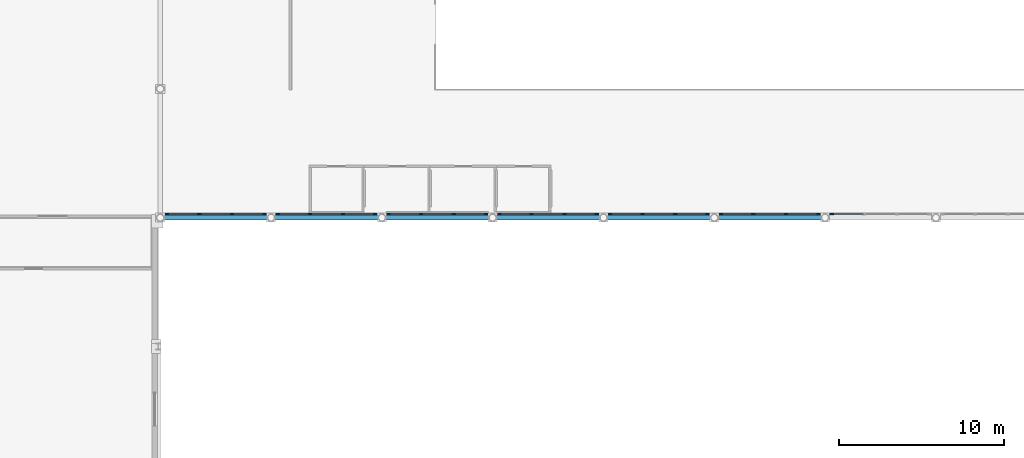
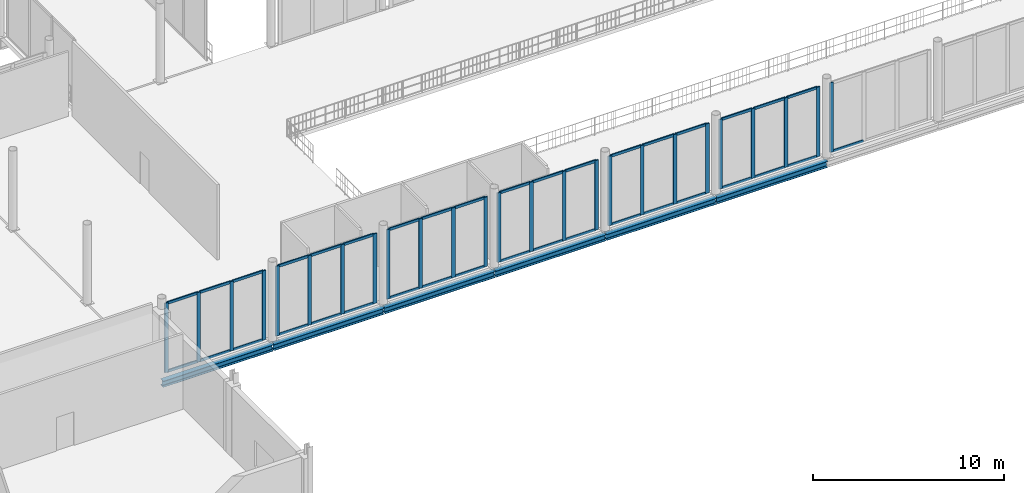
# One storey, part 33 of 105: 62 members, 6 beams, 7 elements without a shape of their own.
"""IFC4 building model written with IfcOpenShell, lengths in metres."""

from ifc_helpers import new_model, si_unit, direction, frame, origin, origin_2d, place, context, subcontext, project, spatial, rectangle, i_section, extrude, material, material_profile, profile_set, type_object, element, aggregate, save


model = new_model("IFC4")

# Units and contexts
model_context = context("Model", 3, precision=1e-05, world=origin(), true_north=direction((0.0, 1.0)))
body_context = subcontext(model_context, "Body", "Model", "MODEL_VIEW")
ifc_project = project(units=[si_unit("LENGTHUNIT", "METRE"), si_unit("AREAUNIT", "SQUARE_METRE"), si_unit("VOLUMEUNIT", "CUBIC_METRE"), si_unit("PLANEANGLEUNIT", "RADIAN"), si_unit("MASSUNIT", "GRAM", prefix="KILO")], contexts=[model_context])

# Site, building, storey
site_placement = place(None, origin())
site = spatial("IfcSite", under=ifc_project, at=site_placement, CompositionType="ELEMENT")
building_placement = place(site_placement, origin())
building = spatial("IfcBuilding", under=site, at=building_placement, Name="Nabrawat Pavilion Hospital", CompositionType="ELEMENT")
storey_placement = place(building_placement, frame((0.0, 0.0, 5.10009765625)))
storey = spatial("IfcBuildingStorey", under=building, at=storey_placement, Name="L01", CompositionType="ELEMENT", Elevation=5.10009765625)

# Curtain wall, members
ifc_material_1 = material(Name="Anodised Aluminium", Category="aluminium")
curtain_wall_type = type_object("IfcCurtainWallType", Name="Main Hall Pavilion Unitised Curtain Wall", PredefinedType="USERDEFINED", material=ifc_material_1)
curtain_wall_1_placement = place(storey_placement, origin())
curtain_wall_1 = element("IfcCurtainWall", 1, at=curtain_wall_1_placement, inside=storey, type_object=curtain_wall_type, Name="L01 Main Hall Pavilion Unitised Curtain Wall 033", ObjectType="CURTAIN WALL", PredefinedType="USERDEFINED")
ifc_material_profile_1 = material_profile(ifc_material_1, rectangle(XDim=0.074951171875, YDim=0.219970703125, at=origin_2d()), Name="CWM 75x220")
ifc_profile_set_1 = profile_set([ifc_material_profile_1], Name="Anodised Aluminium")
member_type_1 = type_object("IfcMemberType", Name="Main Hall Pavilion Unitised Curtain Wall Mullion CWM 75x220", PredefinedType="MULLION", material=ifc_profile_set_1)
member_1_placement = place(storey_placement, frame((59.325927734375, 15.820068359375, 0.0), z_axis=(0.0, 0.0, 1.0), x_axis=(0.0, 1.0, 0.0)))
member_1 = element("IfcMember", 2, at=member_1_placement, type_object=member_type_1, Name="CW-MH-01 mullion 1", PredefinedType="MULLION", context=body_context, shape_type="SweptSolid", body=[
    extrude(rectangle(XDim=0.074951171875, YDim=0.219970703125, at=origin_2d()), origin(), (0.0, 0.0, 1.0), 4.43994140625),
])
member_2_placement = place(storey_placement, frame((61.27880859375, 15.820068359375, 0.0), z_axis=(0.0, 0.0, 1.0), x_axis=(0.0, 1.0, 0.0)))
member_2 = element("IfcMember", 3, at=member_2_placement, type_object=member_type_1, Name="CW-MH-01 mullion 2", PredefinedType="MULLION", context=body_context, shape_type="SweptSolid", body=[
    extrude(rectangle(XDim=0.074951171875, YDim=0.219970703125, at=origin_2d()), origin(), (0.0, 0.0, 1.0), 4.43994140625),
])
member_3_placement = place(storey_placement, frame((63.269287109375, 15.820068359375, 0.0), z_axis=(0.0, 0.0, 1.0), x_axis=(0.0, 1.0, 0.0)))
member_3 = element("IfcMember", 4, at=member_3_placement, type_object=member_type_1, Name="CW-MH-01 mullion 3", PredefinedType="MULLION", context=body_context, shape_type="SweptSolid", body=[
    extrude(rectangle(XDim=0.074951171875, YDim=0.219970703125, at=origin_2d()), origin(), (0.0, 0.0, 1.0), 4.43994140625),
])
member_4_placement = place(storey_placement, frame((65.221923828125, 15.820068359375, 0.0), z_axis=(0.0, 0.0, 1.0), x_axis=(0.0, 1.0, 0.0)))
member_4 = element("IfcMember", 5, at=member_4_placement, type_object=member_type_1, Name="CW-MH-01 mullion 4", PredefinedType="MULLION", context=body_context, shape_type="SweptSolid", body=[
    extrude(rectangle(XDim=0.074951171875, YDim=0.219970703125, at=origin_2d()), origin(), (0.0, 0.0, 1.0), 4.43994140625),
])

curtain_wall_2_placement = place(storey_placement, origin())
curtain_wall_2 = element("IfcCurtainWall", 6, at=curtain_wall_2_placement, inside=storey, type_object=curtain_wall_type, Name="L01 Main Hall Pavilion Unitised Curtain Wall 034", ObjectType="CURTAIN WALL", PredefinedType="USERDEFINED")
member_5_placement = place(storey_placement, frame((66.033935546875, 15.820068359375, 0.0), z_axis=(0.0, 0.0, 1.0), x_axis=(0.0, 1.0, 0.0)))
member_5 = element("IfcMember", 7, at=member_5_placement, type_object=member_type_1, Name="CW-MH-01 mullion 1", PredefinedType="MULLION", context=body_context, shape_type="SweptSolid", body=[
    extrude(rectangle(XDim=0.074951171875, YDim=0.219970703125, at=origin_2d()), origin(), (0.0, 0.0, 1.0), 4.449951171875),
])
member_6_placement = place(storey_placement, frame((67.98681640625, 15.820068359375, 0.0), z_axis=(0.0, 0.0, 1.0), x_axis=(0.0, 1.0, 0.0)))
member_6 = element("IfcMember", 8, at=member_6_placement, type_object=member_type_1, Name="CW-MH-01 mullion 2", PredefinedType="MULLION", context=body_context, shape_type="SweptSolid", body=[
    extrude(rectangle(XDim=0.074951171875, YDim=0.219970703125, at=origin_2d()), origin(), (0.0, 0.0, 1.0), 4.449951171875),
])
member_7_placement = place(storey_placement, frame((69.97705078125, 15.820068359375, 0.0), z_axis=(0.0, 0.0, 1.0), x_axis=(0.0, 1.0, 0.0)))
member_7 = element("IfcMember", 9, at=member_7_placement, type_object=member_type_1, Name="CW-MH-01 mullion 3", PredefinedType="MULLION", context=body_context, shape_type="SweptSolid", body=[
    extrude(rectangle(XDim=0.074951171875, YDim=0.219970703125, at=origin_2d()), origin(), (0.0, 0.0, 1.0), 4.449951171875),
])
member_8_placement = place(storey_placement, frame((71.929931640625, 15.820068359375, 0.0), z_axis=(0.0, 0.0, 1.0), x_axis=(0.0, 1.0, 0.0)))
member_8 = element("IfcMember", 10, at=member_8_placement, type_object=member_type_1, Name="CW-MH-01 mullion 4", PredefinedType="MULLION", context=body_context, shape_type="SweptSolid", body=[
    extrude(rectangle(XDim=0.074951171875, YDim=0.219970703125, at=origin_2d()), origin(), (0.0, 0.0, 1.0), 4.449951171875),
])

curtain_wall_3_placement = place(storey_placement, origin())
curtain_wall_3 = element("IfcCurtainWall", 11, at=curtain_wall_3_placement, inside=storey, type_object=curtain_wall_type, Name="L01 Main Hall Pavilion Unitised Curtain Wall 035", ObjectType="CURTAIN WALL", PredefinedType="USERDEFINED")
member_9_placement = place(storey_placement, frame((72.741943359375, 15.820068359375, 0.0), z_axis=(0.0, 0.0, 1.0), x_axis=(0.0, 1.0, 0.0)))
member_9 = element("IfcMember", 12, at=member_9_placement, type_object=member_type_1, Name="CW-MH-01 mullion 1", PredefinedType="MULLION", context=body_context, shape_type="SweptSolid", body=[
    extrude(rectangle(XDim=0.074951171875, YDim=0.219970703125, at=origin_2d()), origin(), (0.0, 0.0, 1.0), 4.449951171875),
])
member_10_placement = place(storey_placement, frame((74.69482421875, 15.820068359375, 0.0), z_axis=(0.0, 0.0, 1.0), x_axis=(0.0, 1.0, 0.0)))
member_10 = element("IfcMember", 13, at=member_10_placement, type_object=member_type_1, Name="CW-MH-01 mullion 2", PredefinedType="MULLION", context=body_context, shape_type="SweptSolid", body=[
    extrude(rectangle(XDim=0.074951171875, YDim=0.219970703125, at=origin_2d()), origin(), (0.0, 0.0, 1.0), 4.449951171875),
])
member_11_placement = place(storey_placement, frame((76.68505859375, 15.820068359375, 0.0), z_axis=(0.0, 0.0, 1.0), x_axis=(0.0, 1.0, 0.0)))
member_11 = element("IfcMember", 14, at=member_11_placement, type_object=member_type_1, Name="CW-MH-01 mullion 3", PredefinedType="MULLION", context=body_context, shape_type="SweptSolid", body=[
    extrude(rectangle(XDim=0.074951171875, YDim=0.219970703125, at=origin_2d()), origin(), (0.0, 0.0, 1.0), 4.449951171875),
])
member_12_placement = place(storey_placement, frame((78.637939453125, 15.820068359375, 0.0), z_axis=(0.0, 0.0, 1.0), x_axis=(0.0, 1.0, 0.0)))
member_12 = element("IfcMember", 15, at=member_12_placement, type_object=member_type_1, Name="CW-MH-01 mullion 4", PredefinedType="MULLION", context=body_context, shape_type="SweptSolid", body=[
    extrude(rectangle(XDim=0.074951171875, YDim=0.219970703125, at=origin_2d()), origin(), (0.0, 0.0, 1.0), 4.449951171875),
])

curtain_wall_4_placement = place(storey_placement, origin())
curtain_wall_4 = element("IfcCurtainWall", 16, at=curtain_wall_4_placement, inside=storey, type_object=curtain_wall_type, Name="L01 Main Hall Pavilion Unitised Curtain Wall 036", ObjectType="CURTAIN WALL", PredefinedType="USERDEFINED")
member_13_placement = place(storey_placement, frame((79.449951171875, 15.820068359375, 0.0), z_axis=(0.0, 0.0, 1.0), x_axis=(0.0, 1.0, 0.0)))
member_13 = element("IfcMember", 17, at=member_13_placement, type_object=member_type_1, Name="CW-MH-01 mullion 1", PredefinedType="MULLION", context=body_context, shape_type="SweptSolid", body=[
    extrude(rectangle(XDim=0.074951171875, YDim=0.219970703125, at=origin_2d()), origin(), (0.0, 0.0, 1.0), 4.449951171875),
])
member_14_placement = place(storey_placement, frame((81.40283203125, 15.820068359375, 0.0), z_axis=(0.0, 0.0, 1.0), x_axis=(0.0, 1.0, 0.0)))
member_14 = element("IfcMember", 18, at=member_14_placement, type_object=member_type_1, Name="CW-MH-01 mullion 2", PredefinedType="MULLION", context=body_context, shape_type="SweptSolid", body=[
    extrude(rectangle(XDim=0.074951171875, YDim=0.219970703125, at=origin_2d()), origin(), (0.0, 0.0, 1.0), 4.449951171875),
])
member_15_placement = place(storey_placement, frame((83.39306640625, 15.820068359375, 0.0), z_axis=(0.0, 0.0, 1.0), x_axis=(0.0, 1.0, 0.0)))
member_15 = element("IfcMember", 19, at=member_15_placement, type_object=member_type_1, Name="CW-MH-01 mullion 3", PredefinedType="MULLION", context=body_context, shape_type="SweptSolid", body=[
    extrude(rectangle(XDim=0.074951171875, YDim=0.219970703125, at=origin_2d()), origin(), (0.0, 0.0, 1.0), 4.449951171875),
])
member_16_placement = place(storey_placement, frame((85.345947265625, 15.820068359375, 0.0), z_axis=(0.0, 0.0, 1.0), x_axis=(0.0, 1.0, 0.0)))
member_16 = element("IfcMember", 20, at=member_16_placement, type_object=member_type_1, Name="CW-MH-01 mullion 4", PredefinedType="MULLION", context=body_context, shape_type="SweptSolid", body=[
    extrude(rectangle(XDim=0.074951171875, YDim=0.219970703125, at=origin_2d()), origin(), (0.0, 0.0, 1.0), 4.449951171875),
])

curtain_wall_5_placement = place(storey_placement, origin())
curtain_wall_5 = element("IfcCurtainWall", 21, at=curtain_wall_5_placement, inside=storey, type_object=curtain_wall_type, Name="L01 Main Hall Pavilion Unitised Curtain Wall 037", ObjectType="CURTAIN WALL", PredefinedType="USERDEFINED")
member_17_placement = place(storey_placement, frame((86.157958984375, 15.820068359375, 0.0), z_axis=(0.0, 0.0, 1.0), x_axis=(0.0, 1.0, 0.0)))
member_17 = element("IfcMember", 22, at=member_17_placement, type_object=member_type_1, Name="CW-MH-01 mullion 1", PredefinedType="MULLION", context=body_context, shape_type="SweptSolid", body=[
    extrude(rectangle(XDim=0.074951171875, YDim=0.219970703125, at=origin_2d()), origin(), (0.0, 0.0, 1.0), 4.449951171875),
])
member_18_placement = place(storey_placement, frame((88.11083984375, 15.820068359375, 0.0), z_axis=(0.0, 0.0, 1.0), x_axis=(0.0, 1.0, 0.0)))
member_18 = element("IfcMember", 23, at=member_18_placement, type_object=member_type_1, Name="CW-MH-01 mullion 2", PredefinedType="MULLION", context=body_context, shape_type="SweptSolid", body=[
    extrude(rectangle(XDim=0.074951171875, YDim=0.219970703125, at=origin_2d()), origin(), (0.0, 0.0, 1.0), 4.449951171875),
])
member_19_placement = place(storey_placement, frame((90.10107421875, 15.820068359375, 0.0), z_axis=(0.0, 0.0, 1.0), x_axis=(0.0, 1.0, 0.0)))
member_19 = element("IfcMember", 24, at=member_19_placement, type_object=member_type_1, Name="CW-MH-01 mullion 3", PredefinedType="MULLION", context=body_context, shape_type="SweptSolid", body=[
    extrude(rectangle(XDim=0.074951171875, YDim=0.219970703125, at=origin_2d()), origin(), (0.0, 0.0, 1.0), 4.449951171875),
])
member_20_placement = place(storey_placement, frame((92.053955078125, 15.820068359375, 0.0), z_axis=(0.0, 0.0, 1.0), x_axis=(0.0, 1.0, 0.0)))
member_20 = element("IfcMember", 25, at=member_20_placement, type_object=member_type_1, Name="CW-MH-01 mullion 4", PredefinedType="MULLION", context=body_context, shape_type="SweptSolid", body=[
    extrude(rectangle(XDim=0.074951171875, YDim=0.219970703125, at=origin_2d()), origin(), (0.0, 0.0, 1.0), 4.449951171875),
])

curtain_wall_6_placement = place(storey_placement, origin())
curtain_wall_6 = element("IfcCurtainWall", 26, at=curtain_wall_6_placement, inside=storey, type_object=curtain_wall_type, Name="L01 Main Hall Pavilion Unitised Curtain Wall 038", ObjectType="CURTAIN WALL", PredefinedType="USERDEFINED")
member_21_placement = place(storey_placement, frame((92.865966796875, 15.820068359375, 0.0), z_axis=(0.0, 0.0, 1.0), x_axis=(0.0, 1.0, 0.0)))
member_21 = element("IfcMember", 27, at=member_21_placement, type_object=member_type_1, Name="CW-MH-01 mullion 1", PredefinedType="MULLION", context=body_context, shape_type="SweptSolid", body=[
    extrude(rectangle(XDim=0.074951171875, YDim=0.219970703125, at=origin_2d()), origin(), (0.0, 0.0, 1.0), 4.449951171875),
])
member_22_placement = place(storey_placement, frame((94.81884765625, 15.820068359375, 0.0), z_axis=(0.0, 0.0, 1.0), x_axis=(0.0, 1.0, 0.0)))
member_22 = element("IfcMember", 28, at=member_22_placement, type_object=member_type_1, Name="CW-MH-01 mullion 2", PredefinedType="MULLION", context=body_context, shape_type="SweptSolid", body=[
    extrude(rectangle(XDim=0.074951171875, YDim=0.219970703125, at=origin_2d()), origin(), (0.0, 0.0, 1.0), 4.449951171875),
])
member_23_placement = place(storey_placement, frame((96.80908203125, 15.820068359375, 0.0), z_axis=(0.0, 0.0, 1.0), x_axis=(0.0, 1.0, 0.0)))
member_23 = element("IfcMember", 29, at=member_23_placement, type_object=member_type_1, Name="CW-MH-01 mullion 3", PredefinedType="MULLION", context=body_context, shape_type="SweptSolid", body=[
    extrude(rectangle(XDim=0.074951171875, YDim=0.219970703125, at=origin_2d()), origin(), (0.0, 0.0, 1.0), 4.449951171875),
])
member_24_placement = place(storey_placement, frame((98.761962890625, 15.820068359375, 0.0), z_axis=(0.0, 0.0, 1.0), x_axis=(0.0, 1.0, 0.0)))
member_24 = element("IfcMember", 30, at=member_24_placement, type_object=member_type_1, Name="CW-MH-01 mullion 4", PredefinedType="MULLION", context=body_context, shape_type="SweptSolid", body=[
    extrude(rectangle(XDim=0.074951171875, YDim=0.219970703125, at=origin_2d()), origin(), (0.0, 0.0, 1.0), 4.449951171875),
])

# Curtain wall, member
curtain_wall_7_placement = place(storey_placement, origin())
curtain_wall_7 = element("IfcCurtainWall", 31, at=curtain_wall_7_placement, inside=storey, type_object=curtain_wall_type, Name="L01 Main Hall Pavilion Unitised Curtain Wall 039", ObjectType="CURTAIN WALL", PredefinedType="USERDEFINED")
member_25_placement = place(storey_placement, frame((99.573974609375, 15.820068359375, 0.0), z_axis=(0.0, 0.0, 1.0), x_axis=(0.0, 1.0, 0.0)))
member_25 = element("IfcMember", 32, at=member_25_placement, type_object=member_type_1, Name="CW-MH-01 mullion 1", PredefinedType="MULLION", context=body_context, shape_type="SweptSolid", body=[
    extrude(rectangle(XDim=0.074951171875, YDim=0.219970703125, at=origin_2d()), origin(), (0.0, 0.0, 1.0), 4.449951171875),
])

# Member
ifc_material_profile_2 = material_profile(ifc_material_1, rectangle(XDim=0.074951171875, YDim=0.1650390625, at=origin_2d()), Name="CWT 75x165")
ifc_profile_set_2 = profile_set([ifc_material_profile_2], Name="Anodised Aluminium")
member_type_2 = type_object("IfcMemberType", Name="Main Hall Pavilion Unitised Curtain Wall Transom CWT 75x165", PredefinedType="USERDEFINED", material=ifc_profile_set_2)
member_26_placement = place(storey_placement, frame((59.363525390625, 15.820068359375, 0.037353515625), z_axis=(1.0, 0.0, 0.0), x_axis=(0.0, 1.0, 0.0)))
member_26 = element("IfcMember", 33, at=member_26_placement, type_object=member_type_2, Name="CW-MH-01 transom 1.1", ObjectType="TRANSOM", PredefinedType="USERDEFINED", context=body_context, shape_type="SweptSolid", body=[
    extrude(rectangle(XDim=0.074951171875, YDim=0.1650390625, at=origin_2d()), origin(), (0.0, 0.0, 1.0), 1.8779296875),
])

member_27_placement = place(storey_placement, frame((59.363525390625, 15.820068359375, 4.40234375), z_axis=(1.0, 0.0, 0.0), x_axis=(0.0, 1.0, 0.0)))
member_27 = element("IfcMember", 34, at=member_27_placement, type_object=member_type_2, Name="CW-MH-01 transom 1.2", ObjectType="TRANSOM", PredefinedType="USERDEFINED", context=body_context, shape_type="SweptSolid", body=[
    extrude(rectangle(XDim=0.074951171875, YDim=0.1650390625, at=origin_2d()), origin(), (0.0, 0.0, 1.0), 1.8779296875),
])

member_28_placement = place(storey_placement, frame((61.31640625, 15.820068359375, 0.037353515625), z_axis=(1.0, 0.0, 0.0), x_axis=(0.0, 1.0, 0.0)))
member_28 = element("IfcMember", 35, at=member_28_placement, type_object=member_type_2, Name="CW-MH-01 transom 2.1", ObjectType="TRANSOM", PredefinedType="USERDEFINED", context=body_context, shape_type="SweptSolid", body=[
    extrude(rectangle(XDim=0.074951171875, YDim=0.1650390625, at=origin_2d()), origin(), (0.0, 0.0, 1.0), 1.915283203125),
])

member_29_placement = place(storey_placement, frame((61.31640625, 15.820068359375, 4.40234375), z_axis=(1.0, 0.0, 0.0), x_axis=(0.0, 1.0, 0.0)))
member_29 = element("IfcMember", 36, at=member_29_placement, type_object=member_type_2, Name="CW-MH-01 transom 2.2", ObjectType="TRANSOM", PredefinedType="USERDEFINED", context=body_context, shape_type="SweptSolid", body=[
    extrude(rectangle(XDim=0.074951171875, YDim=0.1650390625, at=origin_2d()), origin(), (0.0, 0.0, 1.0), 1.915283203125),
])

member_30_placement = place(storey_placement, frame((63.306640625, 15.820068359375, 0.037353515625), z_axis=(1.0, 0.0, 0.0), x_axis=(0.0, 1.0, 0.0)))
member_30 = element("IfcMember", 37, at=member_30_placement, type_object=member_type_2, Name="CW-MH-01 transom 3.1", ObjectType="TRANSOM", PredefinedType="USERDEFINED", context=body_context, shape_type="SweptSolid", body=[
    extrude(rectangle(XDim=0.074951171875, YDim=0.1650390625, at=origin_2d()), origin(), (0.0, 0.0, 1.0), 1.8779296875),
])

member_31_placement = place(storey_placement, frame((63.306640625, 15.820068359375, 4.40234375), z_axis=(1.0, 0.0, 0.0), x_axis=(0.0, 1.0, 0.0)))
member_31 = element("IfcMember", 38, at=member_31_placement, type_object=member_type_2, Name="CW-MH-01 transom 3.2", ObjectType="TRANSOM", PredefinedType="USERDEFINED", context=body_context, shape_type="SweptSolid", body=[
    extrude(rectangle(XDim=0.074951171875, YDim=0.1650390625, at=origin_2d()), origin(), (0.0, 0.0, 1.0), 1.8779296875),
])

aggregate(curtain_wall_1, [member_1, member_2, member_3, member_4, member_26, member_27, member_28, member_29, member_30, member_31])

member_32_placement = place(storey_placement, frame((66.071533203125, 15.820068359375, 0.037353515625), z_axis=(1.0, 0.0, 0.0), x_axis=(0.0, 1.0, 0.0)))
member_32 = element("IfcMember", 39, at=member_32_placement, type_object=member_type_2, Name="CW-MH-01 transom 1.1", ObjectType="TRANSOM", PredefinedType="USERDEFINED", context=body_context, shape_type="SweptSolid", body=[
    extrude(rectangle(XDim=0.074951171875, YDim=0.1650390625, at=origin_2d()), origin(), (0.0, 0.0, 1.0), 1.877685546875),
])

member_33_placement = place(storey_placement, frame((66.071533203125, 15.820068359375, 4.412353515625), z_axis=(1.0, 0.0, 0.0), x_axis=(0.0, 1.0, 0.0)))
member_33 = element("IfcMember", 40, at=member_33_placement, type_object=member_type_2, Name="CW-MH-01 transom 1.2", ObjectType="TRANSOM", PredefinedType="USERDEFINED", context=body_context, shape_type="SweptSolid", body=[
    extrude(rectangle(XDim=0.074951171875, YDim=0.1650390625, at=origin_2d()), origin(), (0.0, 0.0, 1.0), 1.877685546875),
])

member_34_placement = place(storey_placement, frame((68.0244140625, 15.820068359375, 0.037353515625), z_axis=(1.0, 0.0, 0.0), x_axis=(0.0, 1.0, 0.0)))
member_34 = element("IfcMember", 41, at=member_34_placement, type_object=member_type_2, Name="CW-MH-01 transom 2.1", ObjectType="TRANSOM", PredefinedType="USERDEFINED", context=body_context, shape_type="SweptSolid", body=[
    extrude(rectangle(XDim=0.074951171875, YDim=0.1650390625, at=origin_2d()), origin(), (0.0, 0.0, 1.0), 1.915283203125),
])

member_35_placement = place(storey_placement, frame((68.0244140625, 15.820068359375, 4.412353515625), z_axis=(1.0, 0.0, 0.0), x_axis=(0.0, 1.0, 0.0)))
member_35 = element("IfcMember", 42, at=member_35_placement, type_object=member_type_2, Name="CW-MH-01 transom 2.2", ObjectType="TRANSOM", PredefinedType="USERDEFINED", context=body_context, shape_type="SweptSolid", body=[
    extrude(rectangle(XDim=0.074951171875, YDim=0.1650390625, at=origin_2d()), origin(), (0.0, 0.0, 1.0), 1.915283203125),
])

member_36_placement = place(storey_placement, frame((70.0146484375, 15.820068359375, 0.037353515625), z_axis=(1.0, 0.0, 0.0), x_axis=(0.0, 1.0, 0.0)))
member_36 = element("IfcMember", 43, at=member_36_placement, type_object=member_type_2, Name="CW-MH-01 transom 3.1", ObjectType="TRANSOM", PredefinedType="USERDEFINED", context=body_context, shape_type="SweptSolid", body=[
    extrude(rectangle(XDim=0.074951171875, YDim=0.1650390625, at=origin_2d()), origin(), (0.0, 0.0, 1.0), 1.8779296875),
])

member_37_placement = place(storey_placement, frame((70.0146484375, 15.820068359375, 4.412353515625), z_axis=(1.0, 0.0, 0.0), x_axis=(0.0, 1.0, 0.0)))
member_37 = element("IfcMember", 44, at=member_37_placement, type_object=member_type_2, Name="CW-MH-01 transom 3.2", ObjectType="TRANSOM", PredefinedType="USERDEFINED", context=body_context, shape_type="SweptSolid", body=[
    extrude(rectangle(XDim=0.074951171875, YDim=0.1650390625, at=origin_2d()), origin(), (0.0, 0.0, 1.0), 1.8779296875),
])

aggregate(curtain_wall_2, [member_5, member_6, member_7, member_8, member_32, member_33, member_34, member_35, member_36, member_37])

member_38_placement = place(storey_placement, frame((72.779541015625, 15.820068359375, 0.037353515625), z_axis=(1.0, 0.0, 0.0), x_axis=(0.0, 1.0, 0.0)))
member_38 = element("IfcMember", 45, at=member_38_placement, type_object=member_type_2, Name="CW-MH-01 transom 1.1", ObjectType="TRANSOM", PredefinedType="USERDEFINED", context=body_context, shape_type="SweptSolid", body=[
    extrude(rectangle(XDim=0.074951171875, YDim=0.1650390625, at=origin_2d()), origin(), (0.0, 0.0, 1.0), 1.877685546875),
])

member_39_placement = place(storey_placement, frame((72.779541015625, 15.820068359375, 4.412353515625), z_axis=(1.0, 0.0, 0.0), x_axis=(0.0, 1.0, 0.0)))
member_39 = element("IfcMember", 46, at=member_39_placement, type_object=member_type_2, Name="CW-MH-01 transom 1.2", ObjectType="TRANSOM", PredefinedType="USERDEFINED", context=body_context, shape_type="SweptSolid", body=[
    extrude(rectangle(XDim=0.074951171875, YDim=0.1650390625, at=origin_2d()), origin(), (0.0, 0.0, 1.0), 1.877685546875),
])

member_40_placement = place(storey_placement, frame((74.732421875, 15.820068359375, 0.037353515625), z_axis=(1.0, 0.0, 0.0), x_axis=(0.0, 1.0, 0.0)))
member_40 = element("IfcMember", 47, at=member_40_placement, type_object=member_type_2, Name="CW-MH-01 transom 2.1", ObjectType="TRANSOM", PredefinedType="USERDEFINED", context=body_context, shape_type="SweptSolid", body=[
    extrude(rectangle(XDim=0.074951171875, YDim=0.1650390625, at=origin_2d()), origin(), (0.0, 0.0, 1.0), 1.915283203125),
])

member_41_placement = place(storey_placement, frame((74.732421875, 15.820068359375, 4.412353515625), z_axis=(1.0, 0.0, 0.0), x_axis=(0.0, 1.0, 0.0)))
member_41 = element("IfcMember", 48, at=member_41_placement, type_object=member_type_2, Name="CW-MH-01 transom 2.2", ObjectType="TRANSOM", PredefinedType="USERDEFINED", context=body_context, shape_type="SweptSolid", body=[
    extrude(rectangle(XDim=0.074951171875, YDim=0.1650390625, at=origin_2d()), origin(), (0.0, 0.0, 1.0), 1.915283203125),
])

member_42_placement = place(storey_placement, frame((76.72265625, 15.820068359375, 0.037353515625), z_axis=(1.0, 0.0, 0.0), x_axis=(0.0, 1.0, 0.0)))
member_42 = element("IfcMember", 49, at=member_42_placement, type_object=member_type_2, Name="CW-MH-01 transom 3.1", ObjectType="TRANSOM", PredefinedType="USERDEFINED", context=body_context, shape_type="SweptSolid", body=[
    extrude(rectangle(XDim=0.074951171875, YDim=0.1650390625, at=origin_2d()), origin(), (0.0, 0.0, 1.0), 1.8779296875),
])

member_43_placement = place(storey_placement, frame((76.72265625, 15.820068359375, 4.412353515625), z_axis=(1.0, 0.0, 0.0), x_axis=(0.0, 1.0, 0.0)))
member_43 = element("IfcMember", 50, at=member_43_placement, type_object=member_type_2, Name="CW-MH-01 transom 3.2", ObjectType="TRANSOM", PredefinedType="USERDEFINED", context=body_context, shape_type="SweptSolid", body=[
    extrude(rectangle(XDim=0.074951171875, YDim=0.1650390625, at=origin_2d()), origin(), (0.0, 0.0, 1.0), 1.8779296875),
])

aggregate(curtain_wall_3, [member_9, member_10, member_11, member_12, member_38, member_39, member_40, member_41, member_42, member_43])

member_44_placement = place(storey_placement, frame((79.487548828125, 15.820068359375, 0.037353515625), z_axis=(1.0, 0.0, 0.0), x_axis=(0.0, 1.0, 0.0)))
member_44 = element("IfcMember", 51, at=member_44_placement, type_object=member_type_2, Name="CW-MH-01 transom 1.1", ObjectType="TRANSOM", PredefinedType="USERDEFINED", context=body_context, shape_type="SweptSolid", body=[
    extrude(rectangle(XDim=0.074951171875, YDim=0.1650390625, at=origin_2d()), origin(), (0.0, 0.0, 1.0), 1.877685546875),
])

member_45_placement = place(storey_placement, frame((79.487548828125, 15.820068359375, 4.412353515625), z_axis=(1.0, 0.0, 0.0), x_axis=(0.0, 1.0, 0.0)))
member_45 = element("IfcMember", 52, at=member_45_placement, type_object=member_type_2, Name="CW-MH-01 transom 1.2", ObjectType="TRANSOM", PredefinedType="USERDEFINED", context=body_context, shape_type="SweptSolid", body=[
    extrude(rectangle(XDim=0.074951171875, YDim=0.1650390625, at=origin_2d()), origin(), (0.0, 0.0, 1.0), 1.877685546875),
])

member_46_placement = place(storey_placement, frame((81.4404296875, 15.820068359375, 0.037353515625), z_axis=(1.0, 0.0, 0.0), x_axis=(0.0, 1.0, 0.0)))
member_46 = element("IfcMember", 53, at=member_46_placement, type_object=member_type_2, Name="CW-MH-01 transom 2.1", ObjectType="TRANSOM", PredefinedType="USERDEFINED", context=body_context, shape_type="SweptSolid", body=[
    extrude(rectangle(XDim=0.074951171875, YDim=0.1650390625, at=origin_2d()), origin(), (0.0, 0.0, 1.0), 1.915283203125),
])

member_47_placement = place(storey_placement, frame((81.4404296875, 15.820068359375, 4.412353515625), z_axis=(1.0, 0.0, 0.0), x_axis=(0.0, 1.0, 0.0)))
member_47 = element("IfcMember", 54, at=member_47_placement, type_object=member_type_2, Name="CW-MH-01 transom 2.2", ObjectType="TRANSOM", PredefinedType="USERDEFINED", context=body_context, shape_type="SweptSolid", body=[
    extrude(rectangle(XDim=0.074951171875, YDim=0.1650390625, at=origin_2d()), origin(), (0.0, 0.0, 1.0), 1.915283203125),
])

member_48_placement = place(storey_placement, frame((83.4306640625, 15.820068359375, 0.037353515625), z_axis=(1.0, 0.0, 0.0), x_axis=(0.0, 1.0, 0.0)))
member_48 = element("IfcMember", 55, at=member_48_placement, type_object=member_type_2, Name="CW-MH-01 transom 3.1", ObjectType="TRANSOM", PredefinedType="USERDEFINED", context=body_context, shape_type="SweptSolid", body=[
    extrude(rectangle(XDim=0.074951171875, YDim=0.1650390625, at=origin_2d()), origin(), (0.0, 0.0, 1.0), 1.8779296875),
])

member_49_placement = place(storey_placement, frame((83.4306640625, 15.820068359375, 4.412353515625), z_axis=(1.0, 0.0, 0.0), x_axis=(0.0, 1.0, 0.0)))
member_49 = element("IfcMember", 56, at=member_49_placement, type_object=member_type_2, Name="CW-MH-01 transom 3.2", ObjectType="TRANSOM", PredefinedType="USERDEFINED", context=body_context, shape_type="SweptSolid", body=[
    extrude(rectangle(XDim=0.074951171875, YDim=0.1650390625, at=origin_2d()), origin(), (0.0, 0.0, 1.0), 1.8779296875),
])

aggregate(curtain_wall_4, [member_13, member_14, member_15, member_16, member_44, member_45, member_46, member_47, member_48, member_49])

member_50_placement = place(storey_placement, frame((86.195556640625, 15.820068359375, 0.037353515625), z_axis=(1.0, 0.0, 0.0), x_axis=(0.0, 1.0, 0.0)))
member_50 = element("IfcMember", 57, at=member_50_placement, type_object=member_type_2, Name="CW-MH-01 transom 1.1", ObjectType="TRANSOM", PredefinedType="USERDEFINED", context=body_context, shape_type="SweptSolid", body=[
    extrude(rectangle(XDim=0.074951171875, YDim=0.1650390625, at=origin_2d()), origin(), (0.0, 0.0, 1.0), 1.877685546875),
])

member_51_placement = place(storey_placement, frame((86.195556640625, 15.820068359375, 4.412353515625), z_axis=(1.0, 0.0, 0.0), x_axis=(0.0, 1.0, 0.0)))
member_51 = element("IfcMember", 58, at=member_51_placement, type_object=member_type_2, Name="CW-MH-01 transom 1.2", ObjectType="TRANSOM", PredefinedType="USERDEFINED", context=body_context, shape_type="SweptSolid", body=[
    extrude(rectangle(XDim=0.074951171875, YDim=0.1650390625, at=origin_2d()), origin(), (0.0, 0.0, 1.0), 1.877685546875),
])

member_52_placement = place(storey_placement, frame((88.1484375, 15.820068359375, 0.037353515625), z_axis=(1.0, 0.0, 0.0), x_axis=(0.0, 1.0, 0.0)))
member_52 = element("IfcMember", 59, at=member_52_placement, type_object=member_type_2, Name="CW-MH-01 transom 2.1", ObjectType="TRANSOM", PredefinedType="USERDEFINED", context=body_context, shape_type="SweptSolid", body=[
    extrude(rectangle(XDim=0.074951171875, YDim=0.1650390625, at=origin_2d()), origin(), (0.0, 0.0, 1.0), 1.915283203125),
])

member_53_placement = place(storey_placement, frame((88.1484375, 15.820068359375, 4.412353515625), z_axis=(1.0, 0.0, 0.0), x_axis=(0.0, 1.0, 0.0)))
member_53 = element("IfcMember", 60, at=member_53_placement, type_object=member_type_2, Name="CW-MH-01 transom 2.2", ObjectType="TRANSOM", PredefinedType="USERDEFINED", context=body_context, shape_type="SweptSolid", body=[
    extrude(rectangle(XDim=0.074951171875, YDim=0.1650390625, at=origin_2d()), origin(), (0.0, 0.0, 1.0), 1.915283203125),
])

member_54_placement = place(storey_placement, frame((90.138671875, 15.820068359375, 0.037353515625), z_axis=(1.0, 0.0, 0.0), x_axis=(0.0, 1.0, 0.0)))
member_54 = element("IfcMember", 61, at=member_54_placement, type_object=member_type_2, Name="CW-MH-01 transom 3.1", ObjectType="TRANSOM", PredefinedType="USERDEFINED", context=body_context, shape_type="SweptSolid", body=[
    extrude(rectangle(XDim=0.074951171875, YDim=0.1650390625, at=origin_2d()), origin(), (0.0, 0.0, 1.0), 1.8779296875),
])

member_55_placement = place(storey_placement, frame((90.138671875, 15.820068359375, 4.412353515625), z_axis=(1.0, 0.0, 0.0), x_axis=(0.0, 1.0, 0.0)))
member_55 = element("IfcMember", 62, at=member_55_placement, type_object=member_type_2, Name="CW-MH-01 transom 3.2", ObjectType="TRANSOM", PredefinedType="USERDEFINED", context=body_context, shape_type="SweptSolid", body=[
    extrude(rectangle(XDim=0.074951171875, YDim=0.1650390625, at=origin_2d()), origin(), (0.0, 0.0, 1.0), 1.8779296875),
])

aggregate(curtain_wall_5, [member_17, member_18, member_19, member_20, member_50, member_51, member_52, member_53, member_54, member_55])

member_56_placement = place(storey_placement, frame((92.903564453125, 15.820068359375, 0.037353515625), z_axis=(1.0, 0.0, 0.0), x_axis=(0.0, 1.0, 0.0)))
member_56 = element("IfcMember", 63, at=member_56_placement, type_object=member_type_2, Name="CW-MH-01 transom 1.1", ObjectType="TRANSOM", PredefinedType="USERDEFINED", context=body_context, shape_type="SweptSolid", body=[
    extrude(rectangle(XDim=0.074951171875, YDim=0.1650390625, at=origin_2d()), origin(), (0.0, 0.0, 1.0), 1.877685546875),
])

member_57_placement = place(storey_placement, frame((92.903564453125, 15.820068359375, 4.412353515625), z_axis=(1.0, 0.0, 0.0), x_axis=(0.0, 1.0, 0.0)))
member_57 = element("IfcMember", 64, at=member_57_placement, type_object=member_type_2, Name="CW-MH-01 transom 1.2", ObjectType="TRANSOM", PredefinedType="USERDEFINED", context=body_context, shape_type="SweptSolid", body=[
    extrude(rectangle(XDim=0.074951171875, YDim=0.1650390625, at=origin_2d()), origin(), (0.0, 0.0, 1.0), 1.877685546875),
])

member_58_placement = place(storey_placement, frame((94.8564453125, 15.820068359375, 0.037353515625), z_axis=(1.0, 0.0, 0.0), x_axis=(0.0, 1.0, 0.0)))
member_58 = element("IfcMember", 65, at=member_58_placement, type_object=member_type_2, Name="CW-MH-01 transom 2.1", ObjectType="TRANSOM", PredefinedType="USERDEFINED", context=body_context, shape_type="SweptSolid", body=[
    extrude(rectangle(XDim=0.074951171875, YDim=0.1650390625, at=origin_2d()), origin(), (0.0, 0.0, 1.0), 1.915283203125),
])

member_59_placement = place(storey_placement, frame((94.8564453125, 15.820068359375, 4.412353515625), z_axis=(1.0, 0.0, 0.0), x_axis=(0.0, 1.0, 0.0)))
member_59 = element("IfcMember", 66, at=member_59_placement, type_object=member_type_2, Name="CW-MH-01 transom 2.2", ObjectType="TRANSOM", PredefinedType="USERDEFINED", context=body_context, shape_type="SweptSolid", body=[
    extrude(rectangle(XDim=0.074951171875, YDim=0.1650390625, at=origin_2d()), origin(), (0.0, 0.0, 1.0), 1.915283203125),
])

member_60_placement = place(storey_placement, frame((96.8466796875, 15.820068359375, 0.037353515625), z_axis=(1.0, 0.0, 0.0), x_axis=(0.0, 1.0, 0.0)))
member_60 = element("IfcMember", 67, at=member_60_placement, type_object=member_type_2, Name="CW-MH-01 transom 3.1", ObjectType="TRANSOM", PredefinedType="USERDEFINED", context=body_context, shape_type="SweptSolid", body=[
    extrude(rectangle(XDim=0.074951171875, YDim=0.1650390625, at=origin_2d()), origin(), (0.0, 0.0, 1.0), 1.8779296875),
])

member_61_placement = place(storey_placement, frame((96.8466796875, 15.820068359375, 4.412353515625), z_axis=(1.0, 0.0, 0.0), x_axis=(0.0, 1.0, 0.0)))
member_61 = element("IfcMember", 68, at=member_61_placement, type_object=member_type_2, Name="CW-MH-01 transom 3.2", ObjectType="TRANSOM", PredefinedType="USERDEFINED", context=body_context, shape_type="SweptSolid", body=[
    extrude(rectangle(XDim=0.074951171875, YDim=0.1650390625, at=origin_2d()), origin(), (0.0, 0.0, 1.0), 1.8779296875),
])

aggregate(curtain_wall_6, [member_21, member_22, member_23, member_24, member_56, member_57, member_58, member_59, member_60, member_61])

member_62_placement = place(storey_placement, frame((99.611572265625, 15.820068359375, 0.037353515625), z_axis=(1.0, 0.0, 0.0), x_axis=(0.0, 1.0, 0.0)))
member_62 = element("IfcMember", 69, at=member_62_placement, type_object=member_type_2, Name="CW-MH-01 transom 1.1", ObjectType="TRANSOM", PredefinedType="USERDEFINED", context=body_context, shape_type="SweptSolid", body=[
    extrude(rectangle(XDim=0.074951171875, YDim=0.1650390625, at=origin_2d()), origin(), (0.0, 0.0, 1.0), 1.877685546875),
])

aggregate(curtain_wall_7, [member_25, member_62])

# Beams
ifc_material_2 = material(Name="Steel S355", Category="steel")
ifc_material_profile_3 = material_profile(ifc_material_2, i_section(OverallWidth=0.300048828125, OverallDepth=0.389892578125, WebThickness=0.010986328125, FlangeThickness=0.01904296875, FilletRadius=0.027099609375, at=origin_2d()), Name="HEA 400")
ifc_profile_set_3 = profile_set([ifc_material_profile_3], Name="Steel S355")
beam_type = type_object("IfcBeamType", Name="Perimeter Moment Spandrel Beam HEA 400", PredefinedType="SPANDREL", material=ifc_profile_set_3)
for number, where, z_axis, x_axis, name in (
    (70, (58.93994140625, 15.60009765625, -0.43505859375), (1.0, 0.0, 0.0), (0.0, 1.0, 0.0), "L01 Primary X Girder 475"),
    (71, (65.64794921875, 15.60009765625, -0.43505859375), (1.0, 0.0, 0.0), (0.0, 1.0, 0.0), "L01 Primary X Girder 476"),
    (72, (72.35595703125, 15.60009765625, -0.43505859375), (1.0, 0.0, 0.0), (0.0, 1.0, 0.0), "L01 Primary X Girder 477"),
    (73, (79.06396484375, 15.60009765625, -0.43505859375), (1.0, 0.0, 0.0), (0.0, 1.0, 0.0), "L01 Primary X Girder 478"),
    (74, (85.77197265625, 15.60009765625, -0.43505859375), (1.0, 0.0, 0.0), (0.0, 1.0, 0.0), "L01 Primary X Girder 479"),
    (75, (92.47998046875, 15.60009765625, -0.43505859375), (1.0, 0.0, 0.0), (0.0, 1.0, 0.0), "L01 Primary X Girder 480"),
):
    element("IfcBeam", number, at=place(storey_placement, frame(where, z_axis=z_axis, x_axis=x_axis)), inside=storey, type_object=beam_type, Name=name, PredefinedType="SPANDREL", context=body_context, shape_type="SweptSolid", body=[
        extrude(i_section(OverallWidth=0.300048828125, OverallDepth=0.389892578125, WebThickness=0.010986328125, FlangeThickness=0.01904296875, FilletRadius=0.027099609375, at=origin_2d()), origin(), (0.0, 0.0, 1.0), 6.66796875),
    ])

save(model, "model.ifc")
